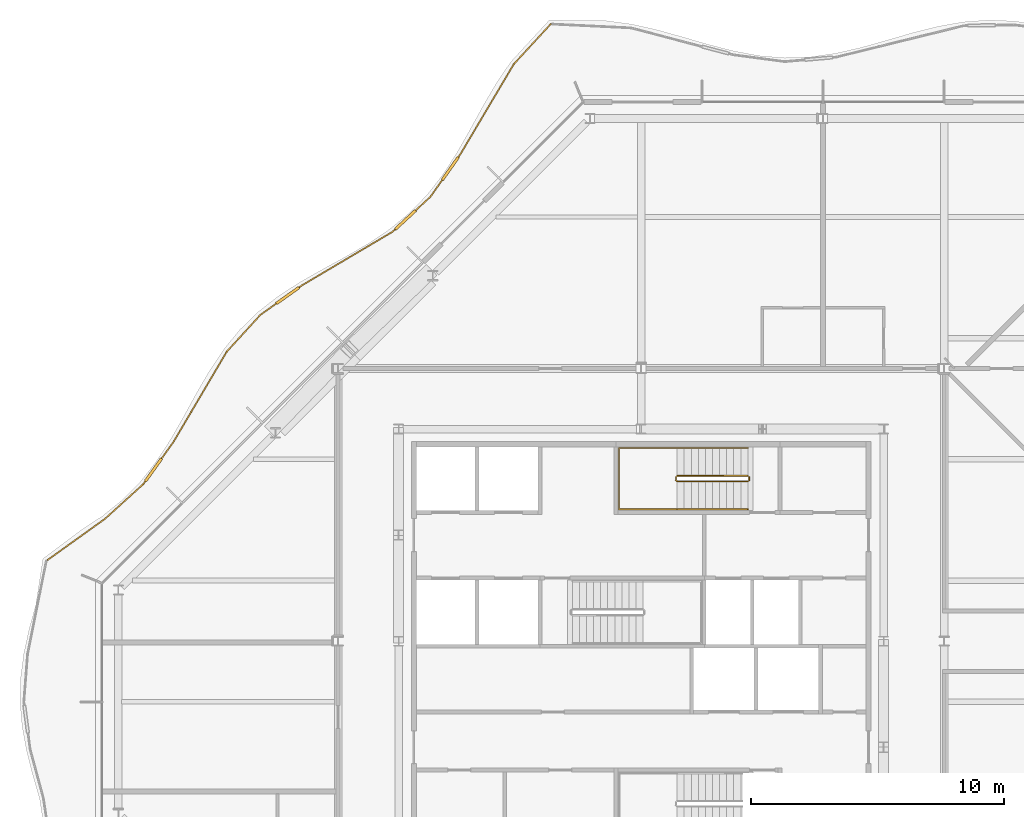
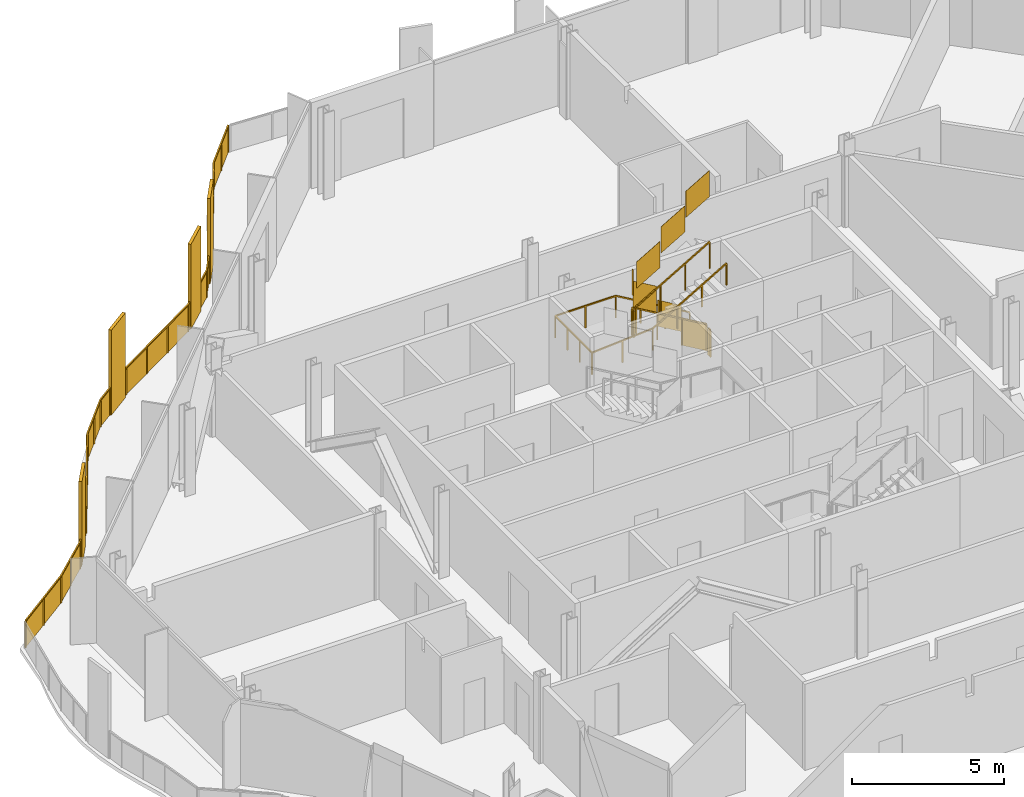
# One storey, part 16 of 17: 4 railings.
"""IFC4 building model written with IfcOpenShell, lengths in metres."""

from ifc_helpers import new_model, si_unit, direction, frame, origin, origin_2d, place, context, subcontext, project, spatial, polyline, rectangle, outline, extrude, material, type_object, element, save


model = new_model("IFC4")

# Units and contexts
model_context = context("Model", 3, precision=1e-05, world=origin(), true_north=direction((0.0, 1.0)))
body_context = subcontext(model_context, "Body", "Model", "MODEL_VIEW")
ifc_project = project(units=[si_unit("LENGTHUNIT", "METRE"), si_unit("AREAUNIT", "SQUARE_METRE"), si_unit("VOLUMEUNIT", "CUBIC_METRE"), si_unit("PLANEANGLEUNIT", "RADIAN"), si_unit("MASSUNIT", "GRAM", prefix="KILO")], contexts=[model_context])

# Site, building, storey
site_placement = place(None, origin())
site = spatial("IfcSite", under=ifc_project, at=site_placement, CompositionType="ELEMENT")
building_placement = place(site_placement, origin())
building = spatial("IfcBuilding", under=site, at=building_placement, Name="Cairn Pilgrim Tower", CompositionType="ELEMENT")
storey_placement = place(building_placement, frame((0.0, 0.0, 246.60009765625)))
storey = spatial("IfcBuildingStorey", under=building, at=storey_placement, Name="L63", CompositionType="ELEMENT", Elevation=246.60009765625)

# Railings
ifc_material_1 = material(Name="Bronze anodised aluminium rail, posts and fin screens with laminated glass infill", Category="aluminium")
railing_type_1 = type_object("IfcRailingType", Name="BALCONY GUARD WITH FIN SCREENS", PredefinedType="GUARDRAIL", material=ifc_material_1)
railing_1_placement = place(storey_placement, frame((3.622314453125, 26.84130859375, 0.0)))
element("IfcRailing", 1, at=railing_1_placement, inside=storey, type_object=railing_type_1, Name="Balcony guard BGF-6 with fin screens", PredefinedType="GUARDRAIL", context=body_context, shape_type="SweptSolid", body=[
    extrude(rectangle(XDim=0.050048828125, YDim=0.050048828125, at=origin_2d()), frame((0.0, 0.0, 1.0751953125), z_axis=(-0.677665450308, -0.735370340345, 0.0), x_axis=(0.735370340345, -0.677665450308, 0.0)), (0.0, 0.0, 1.0), 2.161865234375),
    extrude(rectangle(XDim=0.050048828125, YDim=0.050048828125, at=origin_2d()), frame((-1.465087890625, -1.58984375, 1.0751953125), z_axis=(-0.509989804492, -0.860180445787, 0.0), x_axis=(0.860180445787, -0.509989804492, 0.0)), (0.0, 0.0, 1.0), 4.141845703125),
    extrude(rectangle(XDim=1.10009765625, YDim=0.110107421875, at=origin_2d()), frame((-3.980224609375, -5.725341796875, 0.0), z_axis=(0.0, 0.0, 1.0), x_axis=(-0.575358586084, -0.817901276084, 0.0)), (0.0, 0.0, 1.0), 3.39990234375),
    extrude(rectangle(XDim=0.050048828125, YDim=0.050048828125, at=origin_2d()), frame((-3.577392578125, -5.152587890625, 1.0751953125), z_axis=(-0.575358586084, -0.817901276084, 0.0), x_axis=(0.817901276084, -0.575358586084, 0.0)), (0.0, 0.0, 1.0), 0.150146484375),
    extrude(rectangle(XDim=0.050048828125, YDim=0.050048828125, at=origin_2d()), frame((-4.296630859375, -6.175048828125, 1.0751953125), z_axis=(-0.575358586084, -0.817901276084, 0.0), x_axis=(0.817901276084, -0.575358586084, 0.0)), (0.0, 0.0, 1.0), 0.813232421875),
    extrude(rectangle(XDim=1.10009765625, YDim=0.110107421875, at=origin_2d()), frame((-5.75244140625, -7.753173828125, 0.0), z_axis=(0.0, 0.0, 1.0), x_axis=(-0.734437122813, -0.678676736477, 0.0)), (0.0, 0.0, 1.0), 3.39990234375),
    extrude(rectangle(XDim=0.050048828125, YDim=0.050048828125, at=origin_2d()), frame((-4.7646484375, -6.84033203125, 1.0751953125), z_axis=(-0.734437122813, -0.678676736477, 0.0), x_axis=(0.678676736477, -0.734437122813, 0.0)), (0.0, 0.0, 1.0), 0.794921875),
    extrude(rectangle(XDim=0.050048828125, YDim=0.050048828125, at=origin_2d()), frame((-6.15625, -8.126220703125, 1.0751953125), z_axis=(-0.734437122813, -0.678676736477, 0.0), x_axis=(0.678676736477, -0.734437122813, 0.0)), (0.0, 0.0, 1.0), 0.14990234375),
    extrude(rectangle(XDim=0.050048828125, YDim=0.050048828125, at=origin_2d()), frame((-6.266357421875, -8.22802734375, 1.0751953125), z_axis=(-0.860725637115, -0.50906912852, 0.0), x_axis=(0.50906912852, -0.860725637115, 0.0)), (0.0, 0.0, 1.0), 4.162841796875),
    extrude(rectangle(XDim=1.10009765625, YDim=0.110107421875, at=origin_2d()), frame((-10.42041015625, -10.752197265625, 0.0), z_axis=(0.0, 0.0, 1.0), x_axis=(-0.815601066097, -0.578614639446, 0.0)), (0.0, 0.0, 1.0), 3.39990234375),
    extrude(rectangle(XDim=0.050048828125, YDim=0.050048828125, at=origin_2d()), frame((-9.849365234375, -10.34716796875, 1.0751953125), z_axis=(-0.815601066097, -0.578614639446, 0.0), x_axis=(0.578614639446, -0.815601066097, 0.0)), (0.0, 0.0, 1.0), 0.150146484375),
    extrude(rectangle(XDim=0.050048828125, YDim=0.050048828125, at=origin_2d()), frame((-10.869140625, -11.070556640625, 1.0751953125), z_axis=(-0.815601066097, -0.578614639446, 0.0), x_axis=(0.578614639446, -0.815601066097, 0.0)), (0.0, 0.0, 1.0), 0.76806640625),
    extrude(rectangle(XDim=0.050048828125, YDim=0.050048828125, at=origin_2d()), frame((-11.495361328125, -11.514892578125, 1.0751953125), z_axis=(-0.674993485658, -0.737823687827, 0.0), x_axis=(0.737823687827, -0.674993485658, 0.0)), (0.0, 0.0, 1.0), 1.981689453125),
    extrude(rectangle(XDim=0.050048828125, YDim=0.050048828125, at=origin_2d()), frame((-12.8330078125, -12.97705078125, 1.0751953125), z_axis=(-0.508123958138, -0.861283950371, 0.0), x_axis=(0.861283950371, -0.508123958138, 0.0)), (0.0, 0.0, 1.0), 4.14501953125),
    extrude(rectangle(XDim=1.10009765625, YDim=0.110107421875, at=origin_2d()), frame((-15.731689453125, -17.654296875, 0.0), z_axis=(0.0, 0.0, 1.0), x_axis=(-0.581943728073, -0.813229055898, 0.0)), (0.0, 0.0, 1.0), 3.39990234375),
    extrude(rectangle(XDim=0.050048828125, YDim=0.050048828125, at=origin_2d()), frame((-14.939208984375, -16.547119140625, 1.0751953125), z_axis=(-0.581943728073, -0.813229055898, 0.0), x_axis=(0.813229055898, -0.581943728073, 0.0)), (0.0, 0.0, 1.0), 0.8115234375),
    extrude(rectangle(XDim=0.050048828125, YDim=0.050048828125, at=origin_2d()), frame((-16.0517578125, -18.1015625, 1.0751953125), z_axis=(-0.581943728073, -0.813229055898, 0.0), x_axis=(0.813229055898, -0.581943728073, 0.0)), (0.0, 0.0, 1.0), 0.14990234375),
    extrude(rectangle(XDim=0.050048828125, YDim=0.050048828125, at=origin_2d()), frame((-16.138916015625, -18.2236328125, 1.0751953125), z_axis=(-0.741158270819, -0.671330334185, 0.0), x_axis=(0.671330334185, -0.741158270819, 0.0)), (0.0, 0.0, 1.0), 2.038330078125),
    extrude(rectangle(XDim=0.050048828125, YDim=0.050048828125, at=origin_2d()), frame((-17.649658203125, -19.592041015625, 1.0751953125), z_axis=(-0.812638574062, -0.582768005253, 0.0), x_axis=(0.582768005253, -0.812638574062, 0.0)), (0.0, 0.0, 1.0), 2.805908203125),
    extrude(rectangle(XDim=0.050048828125, YDim=0.050048828125, at=origin_2d()), origin(), (0.0, 0.0, 1.0), 1.050048828125),
    extrude(rectangle(XDim=0.050048828125, YDim=0.050048828125, at=origin_2d()), frame((-0.732421875, -0.794921875, 0.0)), (0.0, 0.0, 1.0), 1.050048828125),
    extrude(rectangle(XDim=0.050048828125, YDim=0.050048828125, at=origin_2d()), frame((-1.465087890625, -1.58984375, 0.0)), (0.0, 0.0, 1.0), 1.050048828125),
    extrude(rectangle(XDim=0.050048828125, YDim=0.050048828125, at=origin_2d()), frame((-2.169189453125, -2.77734375, 0.0)), (0.0, 0.0, 1.0), 1.050048828125),
    extrude(rectangle(XDim=0.050048828125, YDim=0.050048828125, at=origin_2d()), frame((-2.873291015625, -3.965087890625, 0.0)), (0.0, 0.0, 1.0), 1.050048828125),
    extrude(rectangle(XDim=0.050048828125, YDim=0.050048828125, at=origin_2d()), frame((-3.577392578125, -5.152587890625, 0.0)), (0.0, 0.0, 1.0), 1.050048828125),
    extrude(rectangle(XDim=0.050048828125, YDim=0.050048828125, at=origin_2d()), frame((-3.6494140625, -5.2548828125, 0.0)), (0.0, 0.0, 1.0), 1.050048828125),
    extrude(rectangle(XDim=0.050048828125, YDim=0.050048828125, at=origin_2d()), frame((-4.31103515625, -6.195556640625, 0.0)), (0.0, 0.0, 1.0), 1.050048828125),
    extrude(rectangle(XDim=0.050048828125, YDim=0.050048828125, at=origin_2d()), frame((-4.7646484375, -6.84033203125, 0.0)), (0.0, 0.0, 1.0), 1.050048828125),
    extrude(rectangle(XDim=0.050048828125, YDim=0.050048828125, at=origin_2d()), frame((-5.330078125, -7.36279296875, 0.0)), (0.0, 0.0, 1.0), 1.050048828125),
    extrude(rectangle(XDim=0.050048828125, YDim=0.050048828125, at=origin_2d()), frame((-6.1748046875, -8.143310546875, 0.0)), (0.0, 0.0, 1.0), 1.050048828125),
    extrude(rectangle(XDim=0.050048828125, YDim=0.050048828125, at=origin_2d()), frame((-6.266357421875, -8.22802734375, 0.0)), (0.0, 0.0, 1.0), 1.050048828125),
    extrude(rectangle(XDim=0.050048828125, YDim=0.050048828125, at=origin_2d()), frame((-7.460693359375, -8.934326171875, 0.0)), (0.0, 0.0, 1.0), 1.050048828125),
    extrude(rectangle(XDim=0.050048828125, YDim=0.050048828125, at=origin_2d()), frame((-8.655029296875, -9.640869140625, 0.0)), (0.0, 0.0, 1.0), 1.050048828125),
    extrude(rectangle(XDim=0.050048828125, YDim=0.050048828125, at=origin_2d()), frame((-9.849365234375, -10.34716796875, 0.0)), (0.0, 0.0, 1.0), 1.050048828125),
    extrude(rectangle(XDim=0.050048828125, YDim=0.050048828125, at=origin_2d()), frame((-9.951416015625, -10.419677734375, 0.0)), (0.0, 0.0, 1.0), 1.050048828125),
    extrude(rectangle(XDim=0.050048828125, YDim=0.050048828125, at=origin_2d()), frame((-10.889404296875, -11.0849609375, 0.0)), (0.0, 0.0, 1.0), 1.050048828125),
    extrude(rectangle(XDim=0.050048828125, YDim=0.050048828125, at=origin_2d()), frame((-11.495361328125, -11.514892578125, 0.0)), (0.0, 0.0, 1.0), 1.050048828125),
    extrude(rectangle(XDim=0.050048828125, YDim=0.050048828125, at=origin_2d()), frame((-12.1640625, -12.24609375, 0.0)), (0.0, 0.0, 1.0), 1.050048828125),
    extrude(rectangle(XDim=0.050048828125, YDim=0.050048828125, at=origin_2d()), frame((-12.8330078125, -12.97705078125, 0.0)), (0.0, 0.0, 1.0), 1.050048828125),
    extrude(rectangle(XDim=0.050048828125, YDim=0.050048828125, at=origin_2d()), frame((-13.53515625, -14.1669921875, 0.0)), (0.0, 0.0, 1.0), 1.050048828125),
    extrude(rectangle(XDim=0.050048828125, YDim=0.050048828125, at=origin_2d()), frame((-14.237060546875, -15.357177734375, 0.0)), (0.0, 0.0, 1.0), 1.050048828125),
    extrude(rectangle(XDim=0.050048828125, YDim=0.050048828125, at=origin_2d()), frame((-14.939208984375, -16.547119140625, 0.0)), (0.0, 0.0, 1.0), 1.050048828125),
    extrude(rectangle(XDim=0.050048828125, YDim=0.050048828125, at=origin_2d()), frame((-15.39697265625, -17.186767578125, 0.0)), (0.0, 0.0, 1.0), 1.050048828125),
    extrude(rectangle(XDim=0.050048828125, YDim=0.050048828125, at=origin_2d()), frame((-16.066162109375, -18.1220703125, 0.0)), (0.0, 0.0, 1.0), 1.050048828125),
    extrude(rectangle(XDim=0.050048828125, YDim=0.050048828125, at=origin_2d()), frame((-16.138916015625, -18.2236328125, 0.0)), (0.0, 0.0, 1.0), 1.050048828125),
    extrude(rectangle(XDim=0.050048828125, YDim=0.050048828125, at=origin_2d()), frame((-16.894287109375, -18.90771484375, 0.0)), (0.0, 0.0, 1.0), 1.050048828125),
    extrude(rectangle(XDim=0.050048828125, YDim=0.050048828125, at=origin_2d()), frame((-17.649658203125, -19.592041015625, 0.0)), (0.0, 0.0, 1.0), 1.050048828125),
    extrude(rectangle(XDim=0.050048828125, YDim=0.050048828125, at=origin_2d()), frame((-18.789794921875, -20.40966796875, 0.0)), (0.0, 0.0, 1.0), 1.050048828125),
    extrude(rectangle(XDim=0.050048828125, YDim=0.050048828125, at=origin_2d()), frame((-19.929931640625, -21.227294921875, 0.0)), (0.0, 0.0, 1.0), 1.050048828125),
    extrude(outline(polyline([(0.02490234375, 0.0), (1.055908203125, 0.0), (1.055908203125, 1.050048828125), (0.02490234375, 1.050048828125), (0.02490234375, 0.0)])), frame((0.00439453125, -0.004150390625, 0.0), z_axis=(-0.735370340345, 0.677665450308, 0.0), x_axis=(-0.677665450308, -0.735370340345, 0.0)), (0.0, 0.0, 1.0), 0.011962890625),
    extrude(outline(polyline([(0.02490234375, 0.0), (1.055908203125, 0.0), (1.055908203125, 1.050048828125), (0.02490234375, 1.050048828125), (0.02490234375, 0.0)])), frame((-0.72802734375, -0.799072265625, 0.0), z_axis=(-0.735370340345, 0.677665450308, 0.0), x_axis=(-0.677665450308, -0.735370340345, 0.0)), (0.0, 0.0, 1.0), 0.011962890625),
    extrude(outline(polyline([(0.02490234375, 0.0), (1.355712890625, 0.0), (1.355712890625, 1.050048828125), (0.02490234375, 1.050048828125), (0.02490234375, 0.0)])), frame((-1.4599609375, -1.5927734375, 0.0), z_axis=(-0.860180445787, 0.509989804492, 0.0), x_axis=(-0.509989804492, -0.860180445787, 0.0)), (0.0, 0.0, 1.0), 0.011962890625),
    extrude(outline(polyline([(0.02490234375, 0.0), (1.355712890625, 0.0), (1.355712890625, 1.050048828125), (0.02490234375, 1.050048828125), (0.02490234375, 0.0)])), frame((-2.1640625, -2.780517578125, 0.0), z_axis=(-0.860180445787, 0.509989804492, 0.0), x_axis=(-0.509989804492, -0.860180445787, 0.0)), (0.0, 0.0, 1.0), 0.011962890625),
    extrude(outline(polyline([(0.02490234375, 0.0), (1.355712890625, 0.0), (1.355712890625, 1.050048828125), (0.02490234375, 1.050048828125), (0.02490234375, 0.0)])), frame((-2.8681640625, -3.968017578125, 0.0), z_axis=(-0.860180445787, 0.509989804492, 0.0), x_axis=(-0.509989804492, -0.860180445787, 0.0)), (0.0, 0.0, 1.0), 0.011962890625),
    extrude(outline(polyline([(0.02490234375, 0.0), (0.10009765625, 0.0), (0.10009765625, 1.050048828125), (0.02490234375, 1.050048828125), (0.02490234375, 0.0)])), frame((-3.572509765625, -5.156005859375, 0.0), z_axis=(-0.817901276084, 0.575358586084, 0.0), x_axis=(-0.575358586084, -0.817901276084, 0.0)), (0.0, 0.0, 1.0), 0.011962890625),
    extrude(outline(polyline([(0.02490234375, 0.0), (0.76318359375, 0.0), (0.76318359375, 1.050048828125), (0.02490234375, 1.050048828125), (0.02490234375, 0.0)])), frame((-4.30615234375, -6.198974609375, 0.0), z_axis=(-0.817901276084, 0.575358586084, 0.0), x_axis=(-0.575358586084, -0.817901276084, 0.0)), (0.0, 0.0, 1.0), 0.011962890625),
    extrude(outline(polyline([(0.02490234375, 0.0), (0.744873046875, 0.0), (0.744873046875, 1.050048828125), (0.02490234375, 1.050048828125), (0.02490234375, 0.0)])), frame((-4.760498046875, -6.8447265625, 0.0), z_axis=(-0.678676736477, 0.734437122813, 0.0), x_axis=(-0.734437122813, -0.678676736477, 0.0)), (0.0, 0.0, 1.0), 0.011962890625),
    extrude(outline(polyline([(0.02490234375, 0.0), (0.099853515625, 0.0), (0.099853515625, 1.050048828125), (0.02490234375, 1.050048828125), (0.02490234375, 0.0)])), frame((-6.170654296875, -8.147705078125, 0.0), z_axis=(-0.678676736477, 0.734437122813, 0.0), x_axis=(-0.734437122813, -0.678676736477, 0.0)), (0.0, 0.0, 1.0), 0.011962890625),
    extrude(outline(polyline([(0.02490234375, 0.0), (1.362548828125, 0.0), (1.362548828125, 1.050048828125), (0.02490234375, 1.050048828125), (0.02490234375, 0.0)])), frame((-6.263427734375, -8.233154296875, 0.0), z_axis=(-0.50906912852, 0.860725637115, 0.0), x_axis=(-0.860725637115, -0.50906912852, 0.0)), (0.0, 0.0, 1.0), 0.011962890625),
    extrude(outline(polyline([(0.02490234375, 0.0), (1.362548828125, 0.0), (1.362548828125, 1.050048828125), (0.02490234375, 1.050048828125), (0.02490234375, 0.0)])), frame((-7.457763671875, -8.939453125, 0.0), z_axis=(-0.50906912852, 0.860725637115, 0.0), x_axis=(-0.860725637115, -0.50906912852, 0.0)), (0.0, 0.0, 1.0), 0.011962890625),
    extrude(outline(polyline([(0.02490234375, 0.0), (1.362548828125, 0.0), (1.362548828125, 1.050048828125), (0.02490234375, 1.050048828125), (0.02490234375, 0.0)])), frame((-8.652099609375, -9.64599609375, 0.0), z_axis=(-0.50906912852, 0.860725637115, 0.0), x_axis=(-0.860725637115, -0.50906912852, 0.0)), (0.0, 0.0, 1.0), 0.011962890625),
    extrude(outline(polyline([(0.02490234375, 0.0), (0.10009765625, 0.0), (0.10009765625, 1.050048828125), (0.02490234375, 1.050048828125), (0.02490234375, 0.0)])), frame((-9.845947265625, -10.35205078125, 0.0), z_axis=(-0.578614639446, 0.815601066097, 0.0), x_axis=(-0.815601066097, -0.578614639446, 0.0)), (0.0, 0.0, 1.0), 0.011962890625),
    extrude(outline(polyline([(0.02490234375, 0.0), (0.718017578125, 0.0), (0.718017578125, 1.050048828125), (0.02490234375, 1.050048828125), (0.02490234375, 0.0)])), frame((-10.885986328125, -11.08984375, 0.0), z_axis=(-0.578614639446, 0.815601066097, 0.0), x_axis=(-0.815601066097, -0.578614639446, 0.0)), (0.0, 0.0, 1.0), 0.011962890625),
    extrude(outline(polyline([(0.02490234375, 0.0), (0.9658203125, 0.0), (0.9658203125, 1.050048828125), (0.02490234375, 1.050048828125), (0.02490234375, 0.0)])), frame((-11.490966796875, -11.51904296875, 0.0), z_axis=(-0.737823687827, 0.674993485658, 0.0), x_axis=(-0.674993485658, -0.737823687827, 0.0)), (0.0, 0.0, 1.0), 0.011962890625),
    extrude(outline(polyline([(0.02490234375, 0.0), (0.9658203125, 0.0), (0.9658203125, 1.050048828125), (0.02490234375, 1.050048828125), (0.02490234375, 0.0)])), frame((-12.15966796875, -12.25, 0.0), z_axis=(-0.737823687827, 0.674993485658, 0.0), x_axis=(-0.674993485658, -0.737823687827, 0.0)), (0.0, 0.0, 1.0), 0.011962890625),
    extrude(outline(polyline([(0.02490234375, 0.0), (1.356689453125, 0.0), (1.356689453125, 1.050048828125), (0.02490234375, 1.050048828125), (0.02490234375, 0.0)])), frame((-12.827880859375, -12.97998046875, 0.0), z_axis=(-0.861283950371, 0.508123958138, 0.0), x_axis=(-0.508123958138, -0.861283950371, 0.0)), (0.0, 0.0, 1.0), 0.011962890625),
    extrude(outline(polyline([(0.02490234375, 0.0), (1.356689453125, 0.0), (1.356689453125, 1.050048828125), (0.02490234375, 1.050048828125), (0.02490234375, 0.0)])), frame((-13.530029296875, -14.170166015625, 0.0), z_axis=(-0.861283950371, 0.508123958138, 0.0), x_axis=(-0.508123958138, -0.861283950371, 0.0)), (0.0, 0.0, 1.0), 0.011962890625),
    extrude(outline(polyline([(0.02490234375, 0.0), (1.356689453125, 0.0), (1.356689453125, 1.050048828125), (0.02490234375, 1.050048828125), (0.02490234375, 0.0)])), frame((-14.23193359375, -15.360107421875, 0.0), z_axis=(-0.861283950371, 0.508123958138, 0.0), x_axis=(-0.508123958138, -0.861283950371, 0.0)), (0.0, 0.0, 1.0), 0.011962890625),
    extrude(outline(polyline([(0.02490234375, 0.0), (0.761474609375, 0.0), (0.761474609375, 1.050048828125), (0.02490234375, 1.050048828125), (0.02490234375, 0.0)])), frame((-14.934326171875, -16.550537109375, 0.0), z_axis=(-0.813229055898, 0.581943728073, 0.0), x_axis=(-0.581943728073, -0.813229055898, 0.0)), (0.0, 0.0, 1.0), 0.011962890625),
    extrude(outline(polyline([(0.02490234375, 0.0), (0.099853515625, 0.0), (0.099853515625, 1.050048828125), (0.02490234375, 1.050048828125), (0.02490234375, 0.0)])), frame((-16.061279296875, -18.12548828125, 0.0), z_axis=(-0.813229055898, 0.581943728073, 0.0), x_axis=(-0.581943728073, -0.813229055898, 0.0)), (0.0, 0.0, 1.0), 0.011962890625),
    extrude(outline(polyline([(0.02490234375, 0.0), (0.994140625, 0.0), (0.994140625, 1.050048828125), (0.02490234375, 1.050048828125), (0.02490234375, 0.0)])), frame((-16.135009765625, -18.22802734375, 0.0), z_axis=(-0.671330334185, 0.741158270819, 0.0), x_axis=(-0.741158270819, -0.671330334185, 0.0)), (0.0, 0.0, 1.0), 0.011962890625),
    extrude(outline(polyline([(0.02490234375, 0.0), (0.994140625, 0.0), (0.994140625, 1.050048828125), (0.02490234375, 1.050048828125), (0.02490234375, 0.0)])), frame((-16.890380859375, -18.912353515625, 0.0), z_axis=(-0.671330334185, 0.741158270819, 0.0), x_axis=(-0.741158270819, -0.671330334185, 0.0)), (0.0, 0.0, 1.0), 0.011962890625),
    extrude(outline(polyline([(0.02490234375, 0.0), (1.3779296875, 0.0), (1.3779296875, 1.050048828125), (0.02490234375, 1.050048828125), (0.02490234375, 0.0)])), frame((-17.646240234375, -19.596923828125, 0.0), z_axis=(-0.582768005253, 0.812638574062, 0.0), x_axis=(-0.812638574062, -0.582768005253, 0.0)), (0.0, 0.0, 1.0), 0.011962890625),
    extrude(outline(polyline([(0.02490234375, 0.0), (1.3779296875, 0.0), (1.3779296875, 1.050048828125), (0.02490234375, 1.050048828125), (0.02490234375, 0.0)])), frame((-18.786376953125, -20.41455078125, 0.0), z_axis=(-0.582768005253, 0.812638574062, 0.0), x_axis=(-0.812638574062, -0.582768005253, 0.0)), (0.0, 0.0, 1.0), 0.011962890625),
])
ifc_material_2 = material(Name="Painted steel", Category="steel")
railing_type_2 = type_object("IfcRailingType", Name="STAIR GUARD 1100", PredefinedType="GUARDRAIL", material=ifc_material_2)
railing_2_placement = place(storey_placement, frame((11.425048828125, 8.949951171875, 0.16357421875)))
element("IfcRailing", 2, at=railing_2_placement, inside=storey, type_object=railing_type_2, Name="L63 ST-C stair guard 1", PredefinedType="GUARDRAIL", context=body_context, shape_type="SweptSolid", body=[
    extrude(rectangle(XDim=0.048095703125, YDim=0.048095703125, at=origin_2d()), frame((0.0, 0.0, 1.076171875), z_axis=(-0.863393664356, 0.0, 0.504530851732), x_axis=(0.0, -1.0, 0.0)), (0.0, 0.0, 1.0), 3.2431640625),
    extrude(rectangle(XDim=0.048095703125, YDim=0.048095703125, at=origin_2d()), frame((-2.800048828125, 0.0, 2.71240234375), z_axis=(-0.707106781187, -0.707106781187, 0.0), x_axis=(0.707106781187, -0.707106781187, 0.0)), (0.0, 0.0, 1.0), 0.07080078125),
    extrude(rectangle(XDim=0.048095703125, YDim=0.048095703125, at=origin_2d()), frame((-2.85009765625, -0.050048828125, 2.71240234375), z_axis=(0.0, -1.0, 0.0), x_axis=(1.0, 0.0, 0.0)), (0.0, 0.0, 1.0), 0.125),
    extrude(rectangle(XDim=0.048095703125, YDim=0.048095703125, at=origin_2d()), frame((-2.85009765625, -0.175048828125, 2.71240234375), z_axis=(0.280563532951, -0.279194930351, 0.91833234444), x_axis=(0.705375805398, 0.708833529934, 0.0)), (0.0, 0.0, 1.0), 0.178466796875),
    extrude(rectangle(XDim=0.048095703125, YDim=0.048095703125, at=origin_2d()), frame((-2.800048828125, -0.224853515625, 2.8759765625), z_axis=(0.863393664356, 0.0, 0.504530851732), x_axis=(0.0, 1.0, 0.0)), (0.0, 0.0, 1.0), 3.2431640625),
    extrude(rectangle(XDim=0.0419921875, YDim=0.0419921875, at=origin_2d()), origin(), (0.0, 0.0, 1.0), 1.052001953125),
    extrude(rectangle(XDim=0.0419921875, YDim=0.0419921875, at=origin_2d()), frame((-0.933349609375, 0.0, 0.54541015625)), (0.0, 0.0, 1.0), 1.052001953125),
    extrude(rectangle(XDim=0.0419921875, YDim=0.0419921875, at=origin_2d()), frame((-1.86669921875, 0.0, 1.0908203125)), (0.0, 0.0, 1.0), 1.052001953125),
    extrude(rectangle(XDim=0.0419921875, YDim=0.0419921875, at=origin_2d()), frame((-2.800048828125, 0.0, 1.63623046875)), (0.0, 0.0, 1.0), 1.052001953125),
    extrude(rectangle(XDim=0.0419921875, YDim=0.0419921875, at=origin_2d()), frame((-2.85009765625, -0.050048828125, 1.63623046875)), (0.0, 0.0, 1.0), 1.052001953125),
    extrude(rectangle(XDim=0.0419921875, YDim=0.0419921875, at=origin_2d()), frame((-2.85009765625, -0.175048828125, 1.63623046875)), (0.0, 0.0, 1.0), 1.052001953125),
    extrude(rectangle(XDim=0.0419921875, YDim=0.0419921875, at=origin_2d()), frame((-2.800048828125, -0.224853515625, 1.800048828125)), (0.0, 0.0, 1.0), 1.052001953125),
    extrude(rectangle(XDim=0.0419921875, YDim=0.0419921875, at=origin_2d()), frame((-1.86669921875, -0.224853515625, 2.345458984375)), (0.0, 0.0, 1.0), 1.052001953125),
    extrude(rectangle(XDim=0.0419921875, YDim=0.0419921875, at=origin_2d()), frame((-0.933349609375, -0.224853515625, 2.890869140625)), (0.0, 0.0, 1.0), 1.052001953125),
    extrude(rectangle(XDim=0.0419921875, YDim=0.0419921875, at=origin_2d()), frame((0.0, -0.224853515625, 3.436279296875)), (0.0, 0.0, 1.0), 1.052001953125),
    extrude(outline(polyline([(0.02099609375, 0.01220703125), (0.912353515625, 0.533203125), (0.912353515625, 1.585205078125), (0.02099609375, 1.064208984375), (0.02099609375, 0.01220703125)])), frame((0.0, -0.005859375, 0.0), z_axis=(0.0, 1.0, 0.0), x_axis=(-1.0, 0.0, 0.0)), (0.0, 0.0, 1.0), 0.011962890625),
    extrude(outline(polyline([(0.02099609375, 0.5576171875), (0.912353515625, 1.07861328125), (0.912353515625, 2.130615234375), (0.02099609375, 1.609619140625), (0.02099609375, 0.5576171875)])), frame((-0.933349609375, -0.005859375, 0.54541015625), z_axis=(0.0, 1.0, 0.0), x_axis=(-1.0, 0.0, 0.0)), (0.0, 0.0, 1.0), 0.011962890625),
    extrude(outline(polyline([(0.02099609375, 1.10302734375), (0.912353515625, 1.6240234375), (0.912353515625, 2.676025390625), (0.02099609375, 2.155029296875), (0.02099609375, 1.10302734375)])), frame((-1.86669921875, -0.005859375, 1.0908203125), z_axis=(0.0, 1.0, 0.0), x_axis=(-1.0, 0.0, 0.0)), (0.0, 0.0, 1.0), 0.011962890625),
    extrude(outline(polyline([(0.02099609375, 1.63623046875), (0.10400390625, 1.63623046875), (0.10400390625, 2.688232421875), (0.02099609375, 2.688232421875), (0.02099609375, 1.63623046875)])), frame((-2.84423828125, -0.050048828125, 1.63623046875), z_axis=(-1.0, 0.0, 0.0), x_axis=(0.0, -1.0, 0.0)), (0.0, 0.0, 1.0), 0.011962890625),
    extrude(outline(polyline([(0.02099609375, 1.812255859375), (0.912353515625, 2.333251953125), (0.912353515625, 3.38525390625), (0.02099609375, 2.8642578125), (0.02099609375, 1.812255859375)])), frame((-2.800048828125, -0.21875, 1.800048828125), z_axis=(0.0, -1.0, 0.0), x_axis=(1.0, 0.0, 0.0)), (0.0, 0.0, 1.0), 0.011962890625),
    extrude(outline(polyline([(0.02099609375, 2.357666015625), (0.912353515625, 2.878662109375), (0.912353515625, 3.9306640625), (0.02099609375, 3.40966796875), (0.02099609375, 2.357666015625)])), frame((-1.86669921875, -0.21875, 2.345458984375), z_axis=(0.0, -1.0, 0.0), x_axis=(1.0, 0.0, 0.0)), (0.0, 0.0, 1.0), 0.011962890625),
    extrude(outline(polyline([(0.02099609375, 2.903076171875), (0.912353515625, 3.424072265625), (0.912353515625, 4.47607421875), (0.02099609375, 3.955078125), (0.02099609375, 2.903076171875)])), frame((-0.933349609375, -0.21875, 2.890869140625), z_axis=(0.0, -1.0, 0.0), x_axis=(1.0, 0.0, 0.0)), (0.0, 0.0, 1.0), 0.011962890625),
])
railing_3_placement = place(storey_placement, frame((11.47509765625, 8.89990234375, 0.0)))
element("IfcRailing", 3, at=railing_3_placement, inside=storey, type_object=railing_type_2, Name="L63 ST-C stair guard 2", PredefinedType="GUARDRAIL", context=body_context, shape_type="SweptSolid", body=[
    extrude(rectangle(XDim=0.048095703125, YDim=0.048095703125, at=origin_2d()), frame((0.0, 0.0, 1.076171875), z_axis=(0.0, -1.0, 0.0), x_axis=(1.0, 0.0, 0.0)), (0.0, 0.0, 1.0), 0.125),
    extrude(rectangle(XDim=0.0419921875, YDim=0.0419921875, at=origin_2d()), origin(), (0.0, 0.0, 1.0), 1.052001953125),
    extrude(rectangle(XDim=0.0419921875, YDim=0.0419921875, at=origin_2d()), frame((0.0, -0.125, 0.0)), (0.0, 0.0, 1.0), 1.052001953125),
    extrude(outline(polyline([(0.02099609375, 0.0), (0.10400390625, 0.0), (0.10400390625, 1.052001953125), (0.02099609375, 1.052001953125), (0.02099609375, 0.0)])), frame((0.005859375, 0.0, 0.0), z_axis=(-1.0, 0.0, 0.0), x_axis=(0.0, -1.0, 0.0)), (0.0, 0.0, 1.0), 0.011962890625),
])
railing_type_3 = type_object("IfcRailingType", Name="STAIR HANDRAIL 900", PredefinedType="HANDRAIL", material=ifc_material_2)
railing_4_placement = place(storey_placement, frame((11.425048828125, 10.050048828125, 0.16357421875)))
element("IfcRailing", 4, at=railing_4_placement, inside=storey, type_object=railing_type_3, Name="L63 ST-C stair handrail 1", PredefinedType="HANDRAIL", context=body_context, shape_type="SweptSolid", body=[
    extrude(rectangle(XDim=0.048095703125, YDim=0.048095703125, at=origin_2d()), frame((0.0, 0.0, 0.8759765625), z_axis=(-0.863393664356, 0.0, 0.504530851732), x_axis=(0.0, -1.0, 0.0)), (0.0, 0.0, 1.0), 3.2431640625),
    extrude(rectangle(XDim=0.048095703125, YDim=0.048095703125, at=origin_2d()), frame((-2.800048828125, 0.0, 2.51220703125), z_axis=(-1.0, 0.0, 0.0), x_axis=(0.0, -1.0, 0.0)), (0.0, 0.0, 1.0), 2.300048828125),
    extrude(rectangle(XDim=0.048095703125, YDim=0.048095703125, at=origin_2d()), frame((-5.10009765625, 0.0, 2.51220703125), z_axis=(0.0, -1.0, 0.0), x_axis=(1.0, 0.0, 0.0)), (0.0, 0.0, 1.0), 2.425048828125),
    extrude(rectangle(XDim=0.048095703125, YDim=0.048095703125, at=origin_2d()), frame((-5.10009765625, -2.425048828125, 2.51220703125), z_axis=(0.99747319029, 0.0, 0.071043892441), x_axis=(0.0, 1.0, 0.0)), (0.0, 0.0, 1.0), 2.305908203125),
    extrude(rectangle(XDim=0.048095703125, YDim=0.048095703125, at=origin_2d()), frame((-2.800048828125, -2.425048828125, 2.67578125), z_axis=(0.863393664356, 0.0, 0.504530851732), x_axis=(0.0, 1.0, 0.0)), (0.0, 0.0, 1.0), 3.2431640625),
    extrude(rectangle(XDim=0.0419921875, YDim=0.0419921875, at=origin_2d()), origin(), (0.0, 0.0, 1.0), 0.851806640625),
    extrude(rectangle(XDim=0.0419921875, YDim=0.0419921875, at=origin_2d()), frame((-0.933349609375, 0.0, 0.54541015625)), (0.0, 0.0, 1.0), 0.851806640625),
    extrude(rectangle(XDim=0.0419921875, YDim=0.0419921875, at=origin_2d()), frame((-1.86669921875, 0.0, 1.0908203125)), (0.0, 0.0, 1.0), 0.851806640625),
    extrude(rectangle(XDim=0.0419921875, YDim=0.0419921875, at=origin_2d()), frame((-2.800048828125, 0.0, 1.63623046875)), (0.0, 0.0, 1.0), 0.851806640625),
    extrude(rectangle(XDim=0.0419921875, YDim=0.0419921875, at=origin_2d()), frame((-3.9501953125, 0.0, 1.63623046875)), (0.0, 0.0, 1.0), 0.851806640625),
    extrude(rectangle(XDim=0.0419921875, YDim=0.0419921875, at=origin_2d()), frame((-5.10009765625, 0.0, 1.63623046875)), (0.0, 0.0, 1.0), 0.851806640625),
    extrude(rectangle(XDim=0.0419921875, YDim=0.0419921875, at=origin_2d()), frame((-5.10009765625, -0.808349609375, 1.63623046875)), (0.0, 0.0, 1.0), 0.851806640625),
    extrude(rectangle(XDim=0.0419921875, YDim=0.0419921875, at=origin_2d()), frame((-5.10009765625, -1.61669921875, 1.63623046875)), (0.0, 0.0, 1.0), 0.851806640625),
    extrude(rectangle(XDim=0.0419921875, YDim=0.0419921875, at=origin_2d()), frame((-5.10009765625, -2.425048828125, 1.63623046875)), (0.0, 0.0, 1.0), 0.851806640625),
    extrude(rectangle(XDim=0.0419921875, YDim=0.0419921875, at=origin_2d()), frame((-3.9501953125, -2.425048828125, 1.71826171875)), (0.0, 0.0, 1.0), 0.851806640625),
    extrude(rectangle(XDim=0.0419921875, YDim=0.0419921875, at=origin_2d()), frame((-2.800048828125, -2.425048828125, 1.800048828125)), (0.0, 0.0, 1.0), 0.851806640625),
    extrude(rectangle(XDim=0.0419921875, YDim=0.0419921875, at=origin_2d()), frame((-1.86669921875, -2.425048828125, 2.345458984375)), (0.0, 0.0, 1.0), 0.851806640625),
    extrude(rectangle(XDim=0.0419921875, YDim=0.0419921875, at=origin_2d()), frame((-0.933349609375, -2.425048828125, 2.890869140625)), (0.0, 0.0, 1.0), 0.851806640625),
    extrude(rectangle(XDim=0.0419921875, YDim=0.0419921875, at=origin_2d()), frame((0.0, -2.425048828125, 3.436279296875)), (0.0, 0.0, 1.0), 0.851806640625),
])

save(model, "model.ifc")
